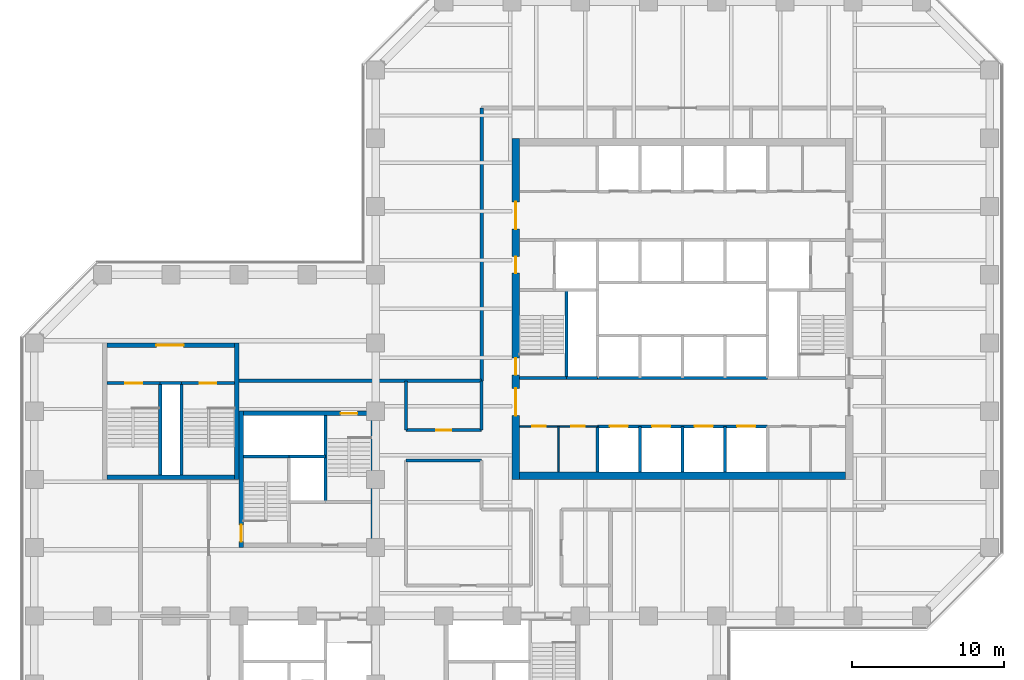
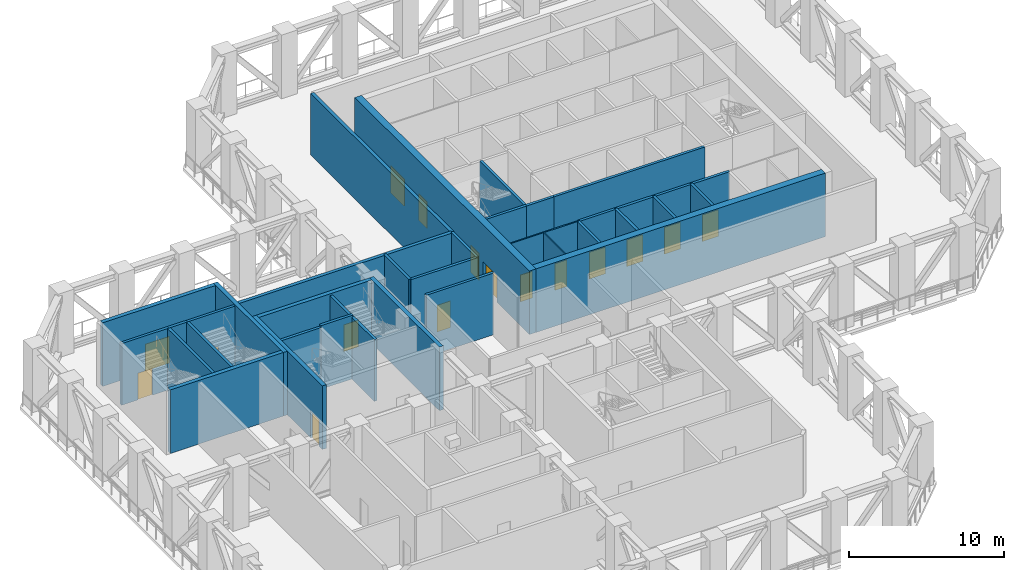
# One storey, part 6 of 16: 33 walls, 16 doors, 16 openings.
"""IFC4 building model written with IfcOpenShell, lengths in metres."""

from ifc_helpers import new_model, si_unit, direction, frame, frame_2d, origin, place, context, subcontext, project, spatial, rectangle, extrude, material, layer, layer_set, type_object, element, fill, save


model = new_model("IFC4")

# Units and contexts
model_context = context("Model", 3, precision=1e-05, world=origin(), true_north=direction((0.0, 1.0)))
body_context = subcontext(model_context, "Body", "Model", "MODEL_VIEW")
ifc_project = project(units=[si_unit("LENGTHUNIT", "METRE"), si_unit("AREAUNIT", "SQUARE_METRE"), si_unit("VOLUMEUNIT", "CUBIC_METRE"), si_unit("PLANEANGLEUNIT", "RADIAN"), si_unit("MASSUNIT", "GRAM", prefix="KILO")], contexts=[model_context])

# Site, building, storey
site_placement = place(None, origin())
site = spatial("IfcSite", under=ifc_project, at=site_placement, CompositionType="ELEMENT")
building_placement = place(site_placement, origin())
building = spatial("IfcBuilding", under=site, at=building_placement, Name="Quoin Convention Tower", CompositionType="ELEMENT")
storey_placement = place(building_placement, frame((0.0, 0.0, 69.300048828125)))
storey = spatial("IfcBuildingStorey", under=building, at=storey_placement, Name="L18", CompositionType="ELEMENT", Elevation=69.300048828125)

# Wall, openings, doors
ifc_material_1 = material(Name="Plasterboard")
ifc_layer_1 = layer(ifc_material_1, 0.012451171875, Name="Finish")
ifc_material_2 = material(Name="Steel stud framing", Category="steel")
ifc_layer_2 = layer(ifc_material_2, 0.074951171875, Name="Structure")
ifc_layer_3 = layer(ifc_material_1, 0.012451171875, Name="Finish")
ifc_layer_set_1 = layer_set([ifc_layer_1, ifc_layer_2, ifc_layer_3], Name="Steel stud framing")
wall_type_1 = type_object("IfcWallType", Name="Core partition wall", PredefinedType="PARTITIONING", material=ifc_layer_set_1)
wall_1_placement = place(storey_placement, frame((45.5, 53.0, 0.0), z_axis=(0.0, 0.0, 1.0), x_axis=(1.0, 0.0, 0.0)))
wall_1 = element("IfcWall", 1, at=wall_1_placement, inside=storey, type_object=wall_type_1, Name="cr-C1-L18-h3500_500", PredefinedType="PARTITIONING", context=body_context, shape_type="SweptSolid", body=[
    extrude(rectangle(XDim=5.14990234375, YDim=0.10009765625, at=frame_2d((2.574951171875, 0.0))), origin(), (0.0, 0.0, 1.0), 4.849853515625),
])
opening_1_placement = place(wall_1_placement, frame((0.83740234375, 0.0, 0.0)))
opening_1 = element("IfcOpeningElement", 2, at=opening_1_placement, cuts=wall_1, Name="Opening DCV0-49", PredefinedType="OPENING", context=body_context, shape_type="SweptSolid", body=[
    extrude(rectangle(XDim=0.89990234375, YDim=2.10009765625, at=frame_2d((0.449951171875, 1.050048828125))), frame((0.0, 0.06005859375, 0.0), z_axis=(0.0, -1.0, 0.0), x_axis=(1.0, 0.0, 0.0)), (0.0, 0.0, 1.0), 0.1201171875),
])
opening_2_placement = place(wall_1_placement, frame((3.41259765625, 0.0, 0.0)))
opening_2 = element("IfcOpeningElement", 3, at=opening_2_placement, cuts=wall_1, Name="Opening DCV0-50", PredefinedType="OPENING", context=body_context, shape_type="SweptSolid", body=[
    extrude(rectangle(XDim=0.89990234375, YDim=2.10009765625, at=frame_2d((0.449951171875, 1.050048828125))), frame((0.0, 0.06005859375, 0.0), z_axis=(0.0, -1.0, 0.0), x_axis=(1.0, 0.0, 0.0)), (0.0, 0.0, 1.0), 0.1201171875),
])
ifc_material_3 = material(Name="Steel door leaf", Category="steel")
door_type_1 = type_object("IfcDoorType", Name="Core room door 900 x 2100", OperationType="SINGLE_SWING_LEFT", PredefinedType="DOOR", material=ifc_material_3)
door_1_placement = place(opening_1_placement, frame((0.89990234375, 0.0, 0.0), z_axis=(0.0, 0.0, 1.0), x_axis=(-1.0, 0.0, 0.0)))
door_1 = element("IfcDoor", 4, at=door_1_placement, inside=storey, type_object=door_type_1, Name="cd-C1-L18-CSW0-lobA-CD1812", OperationType="SINGLE_SWING_LEFT", OverallHeight=2.10009765625, OverallWidth=0.89990234375, PredefinedType="DOOR", context=body_context, shape_type="SweptSolid", body=[
    extrude(rectangle(XDim=0.89990234375, YDim=2.10009765625, at=frame_2d((0.449951171875, 1.050048828125))), frame((0.0, 0.02490234375, 0.0), z_axis=(0.0, -1.0, 0.0), x_axis=(1.0, 0.0, 0.0)), (0.0, 0.0, 1.0), 0.050048828125),
])
fill(opening_1, door_1)
door_2_placement = place(opening_2_placement, frame((0.89990234375, 0.0, 0.0), z_axis=(0.0, 0.0, 1.0), x_axis=(-1.0, 0.0, 0.0)))
door_2 = element("IfcDoor", 5, at=door_2_placement, inside=storey, type_object=door_type_1, Name="cd-C1-L18-CSW1-lobA-CD1813", OperationType="SINGLE_SWING_LEFT", OverallHeight=2.10009765625, OverallWidth=0.89990234375, PredefinedType="DOOR", context=body_context, shape_type="SweptSolid", body=[
    extrude(rectangle(XDim=0.89990234375, YDim=2.10009765625, at=frame_2d((0.449951171875, 1.050048828125))), frame((0.0, 0.02490234375, 0.0), z_axis=(0.0, -1.0, 0.0), x_axis=(1.0, 0.0, 0.0)), (0.0, 0.0, 1.0), 0.050048828125),
])
fill(opening_2, door_2)

# Wall
wall_2_placement = place(storey_placement, frame((48.074951171875, 50.0, 0.0), z_axis=(0.0, 0.0, 1.0), x_axis=(0.0, 1.0, 0.0)))
element("IfcWall", 6, at=wall_2_placement, inside=storey, type_object=wall_type_1, Name="cr-C1-L18-v3075_500", PredefinedType="PARTITIONING", context=body_context, shape_type="SweptSolid", body=[
    extrude(rectangle(XDim=3.0, YDim=0.10009765625, at=frame_2d((1.5, 0.0))), origin(), (0.0, 0.0, 1.0), 4.849853515625),
])

# Wall, openings, doors
ifc_material_4 = material(Name="Concrete C50", Category="concrete")
ifc_layer_4 = layer(ifc_material_4, 0.199951171875)
ifc_layer_set_2 = layer_set([ifc_layer_4], Name="Concrete C50")
wall_type_2 = type_object("IfcWallType", Name="Core shaft wall", PredefinedType="SOLIDWALL", material=ifc_layer_set_2)
wall_3_placement = place(storey_placement, frame((50.64990234375, 53.0, 0.0), z_axis=(0.0, 0.0, 1.0), x_axis=(1.0, 0.0, 0.0)))
wall_3 = element("IfcWall", 7, at=wall_3_placement, inside=storey, type_object=wall_type_2, Name="cr-C1-L18-h3500_5650", PredefinedType="SOLIDWALL", context=body_context, shape_type="SweptSolid", body=[
    extrude(rectangle(XDim=11.2001953125, YDim=0.199951171875, at=frame_2d((5.60009765625, 0.0))), origin(), (0.0, 0.0, 1.0), 4.849853515625),
])
opening_3_placement = place(wall_3_placement, frame((0.800048828125, 0.0, 0.0)))
opening_3 = element("IfcOpeningElement", 8, at=opening_3_placement, cuts=wall_3, Name="Opening LDL1", PredefinedType="OPENING", context=body_context, shape_type="SweptSolid", body=[
    extrude(rectangle(XDim=1.199951171875, YDim=2.10009765625, at=frame_2d((0.60009765625, 1.050048828125))), frame((0.0, 0.10986328125, 0.0), z_axis=(0.0, -1.0, 0.0), x_axis=(1.0, 0.0, 0.0)), (0.0, 0.0, 1.0), 0.219970703125),
])
opening_4_placement = place(wall_3_placement, frame((3.60009765625, 0.0, 0.0)))
opening_4 = element("IfcOpeningElement", 9, at=opening_4_placement, cuts=wall_3, Name="Opening LDL2", PredefinedType="OPENING", context=body_context, shape_type="SweptSolid", body=[
    extrude(rectangle(XDim=1.199951171875, YDim=2.10009765625, at=frame_2d((0.60009765625, 1.050048828125))), frame((0.0, 0.10986328125, 0.0), z_axis=(0.0, -1.0, 0.0), x_axis=(1.0, 0.0, 0.0)), (0.0, 0.0, 1.0), 0.219970703125),
])
opening_5_placement = place(wall_3_placement, frame((6.39990234375, 0.0, 0.0)))
opening_5 = element("IfcOpeningElement", 10, at=opening_5_placement, cuts=wall_3, Name="Opening LDL3", PredefinedType="OPENING", context=body_context, shape_type="SweptSolid", body=[
    extrude(rectangle(XDim=1.199951171875, YDim=2.10009765625, at=frame_2d((0.60009765625, 1.050048828125))), frame((0.0, 0.10986328125, 0.0), z_axis=(0.0, -1.0, 0.0), x_axis=(1.0, 0.0, 0.0)), (0.0, 0.0, 1.0), 0.219970703125),
])
opening_6_placement = place(wall_3_placement, frame((9.199951171875, 0.0, 0.0)))
opening_6 = element("IfcOpeningElement", 11, at=opening_6_placement, cuts=wall_3, Name="Opening LDL4", PredefinedType="OPENING", context=body_context, shape_type="SweptSolid", body=[
    extrude(rectangle(XDim=1.199951171875, YDim=2.10009765625, at=frame_2d((0.60009765625, 1.050048828125))), frame((0.0, 0.10986328125, 0.0), z_axis=(0.0, -1.0, 0.0), x_axis=(1.0, 0.0, 0.0)), (0.0, 0.0, 1.0), 0.219970703125),
])
door_type_2 = type_object("IfcDoorType", Name="Lift landing door 1200 x 2100", OperationType="DOUBLE_DOOR_SLIDING", PredefinedType="DOOR", material=ifc_material_3)
door_3_placement = place(opening_3_placement, origin())
door_3 = element("IfcDoor", 12, at=door_3_placement, inside=storey, type_object=door_type_2, Name="cd-C1-L18-R10-lobA-LDL1", OperationType="DOUBLE_DOOR_SLIDING", OverallHeight=2.10009765625, OverallWidth=1.199951171875, PredefinedType="DOOR", context=body_context, shape_type="SweptSolid", body=[
    extrude(rectangle(XDim=1.199951171875, YDim=2.10009765625, at=frame_2d((0.60009765625, 1.050048828125))), frame((0.0, 0.02490234375, 0.0), z_axis=(0.0, -1.0, 0.0), x_axis=(1.0, 0.0, 0.0)), (0.0, 0.0, 1.0), 0.050048828125),
])
fill(opening_3, door_3)
door_4_placement = place(opening_4_placement, origin())
door_4 = element("IfcDoor", 13, at=door_4_placement, inside=storey, type_object=door_type_2, Name="cd-C1-L18-R11-lobA-LDL2", OperationType="DOUBLE_DOOR_SLIDING", OverallHeight=2.10009765625, OverallWidth=1.199951171875, PredefinedType="DOOR", context=body_context, shape_type="SweptSolid", body=[
    extrude(rectangle(XDim=1.199951171875, YDim=2.10009765625, at=frame_2d((0.60009765625, 1.050048828125))), frame((0.0, 0.02490234375, 0.0), z_axis=(0.0, -1.0, 0.0), x_axis=(1.0, 0.0, 0.0)), (0.0, 0.0, 1.0), 0.050048828125),
])
fill(opening_4, door_4)
door_5_placement = place(opening_5_placement, origin())
door_5 = element("IfcDoor", 14, at=door_5_placement, inside=storey, type_object=door_type_2, Name="cd-C1-L18-R12-lobA-LDL3", OperationType="DOUBLE_DOOR_SLIDING", OverallHeight=2.10009765625, OverallWidth=1.199951171875, PredefinedType="DOOR", context=body_context, shape_type="SweptSolid", body=[
    extrude(rectangle(XDim=1.199951171875, YDim=2.10009765625, at=frame_2d((0.60009765625, 1.050048828125))), frame((0.0, 0.02490234375, 0.0), z_axis=(0.0, -1.0, 0.0), x_axis=(1.0, 0.0, 0.0)), (0.0, 0.0, 1.0), 0.050048828125),
])
fill(opening_5, door_5)
door_6_placement = place(opening_6_placement, origin())
door_6 = element("IfcDoor", 15, at=door_6_placement, inside=storey, type_object=door_type_2, Name="cd-C1-L18-R13-lobA-LDL4", OperationType="DOUBLE_DOOR_SLIDING", OverallHeight=2.10009765625, OverallWidth=1.199951171875, PredefinedType="DOOR", context=body_context, shape_type="SweptSolid", body=[
    extrude(rectangle(XDim=1.199951171875, YDim=2.10009765625, at=frame_2d((0.60009765625, 1.050048828125))), frame((0.0, 0.02490234375, 0.0), z_axis=(0.0, -1.0, 0.0), x_axis=(1.0, 0.0, 0.0)), (0.0, 0.0, 1.0), 0.050048828125),
])
fill(opening_6, door_6)

# Walls
wall_4_placement = place(storey_placement, frame((48.60009765625, 56.199951171875, 0.0), z_axis=(0.0, 0.0, 1.0), x_axis=(1.0, 0.0, 0.0)))
element("IfcWall", 16, at=wall_4_placement, inside=storey, type_object=wall_type_2, Name="cr-C1-L18-h6700_3600", PredefinedType="SOLIDWALL", context=body_context, shape_type="SweptSolid", body=[
    extrude(rectangle(XDim=2.0498046875, YDim=0.199951171875, at=frame_2d((1.02490234375, 0.0))), origin(), (0.0, 0.0, 1.0), 4.849853515625),
])
wall_5_placement = place(storey_placement, frame((45.5, 56.199951171875, 0.0), z_axis=(0.0, 0.0, 1.0), x_axis=(1.0, 0.0, 0.0)))
element("IfcWall", 17, at=wall_5_placement, inside=storey, type_object=wall_type_2, Name="cr-C1-L18-h6700_500", PredefinedType="SOLIDWALL", context=body_context, shape_type="SweptSolid", body=[
    extrude(rectangle(XDim=3.10009765625, YDim=0.199951171875, at=frame_2d((1.550048828125, 0.0))), origin(), (0.0, 0.0, 1.0), 4.849853515625),
])
wall_6_placement = place(storey_placement, frame((50.64990234375, 56.199951171875, 0.0), z_axis=(0.0, 0.0, 1.0), x_axis=(1.0, 0.0, 0.0)))
element("IfcWall", 18, at=wall_6_placement, inside=storey, type_object=wall_type_2, Name="cr-C1-L18-h6700_5650", PredefinedType="SOLIDWALL", context=body_context, shape_type="SweptSolid", body=[
    extrude(rectangle(XDim=11.2001953125, YDim=0.199951171875, at=frame_2d((5.60009765625, 0.0))), origin(), (0.0, 0.0, 1.0), 4.849853515625),
])
wall_7_placement = place(storey_placement, frame((48.60009765625, 56.199951171875, 0.0), z_axis=(0.0, 0.0, 1.0), x_axis=(0.0, 1.0, 0.0)))
element("IfcWall", 19, at=wall_7_placement, inside=storey, type_object=wall_type_2, Name="cr-C1-L18-v3600_6700", PredefinedType="SOLIDWALL", context=body_context, shape_type="SweptSolid", body=[
    extrude(rectangle(XDim=5.800048828125, YDim=0.199951171875, at=frame_2d((2.89990234375, 0.0))), origin(), (0.0, 0.0, 1.0), 4.849853515625),
])
for number, where, z_axis, x_axis, name in (
    (20, (50.64990234375, 50.0, 0.0), (0.0, 0.0, 1.0), (0.0, 1.0, 0.0), "cr-C1-L18-v5650_500"),
    (21, (53.449951171875, 50.0, 0.0), (0.0, 0.0, 1.0), (0.0, 1.0, 0.0), "cr-C1-L18-v8450_500"),
    (22, (56.25, 50.0, 0.0), (0.0, 0.0, 1.0), (0.0, 1.0, 0.0), "cr-C1-L18-v11250_500"),
    (23, (59.050048828125, 50.0, 0.0), (0.0, 0.0, 1.0), (0.0, 1.0, 0.0), "cr-C1-L18-v14050_500"),
    (24, (27.300048828125, 51.0, 0.0), (0.0, 0.0, 1.0), (1.0, 0.0, 0.0), "cr-P2-L18-h6000_300"),
):
    element("IfcWall", number, at=place(storey_placement, frame(where, z_axis=z_axis, x_axis=x_axis)), inside=storey, type_object=wall_type_2, Name=name, PredefinedType="SOLIDWALL", context=body_context, shape_type="SweptSolid", body=[
        extrude(rectangle(XDim=3.0, YDim=0.199951171875, at=frame_2d((1.5, 0.0))), origin(), (0.0, 0.0, 1.0), 4.849853515625),
    ])
wall_8_placement = place(storey_placement, frame((32.699951171875, 48.0, 0.0), z_axis=(0.0, 0.0, 1.0), x_axis=(0.0, 1.0, 0.0)))
element("IfcWall", 25, at=wall_8_placement, inside=storey, type_object=wall_type_2, Name="cr-P2-L18-v5700_3000", PredefinedType="SOLIDWALL", context=body_context, shape_type="SweptSolid", body=[
    extrude(rectangle(XDim=5.699951171875, YDim=0.199951171875, at=frame_2d((2.85009765625, 0.0))), origin(), (0.0, 0.0, 1.0), 4.849853515625),
])
wall_9_placement = place(storey_placement, frame((21.800048828125, 55.85009765625, 0.0), z_axis=(0.0, 0.0, 1.0), x_axis=(1.0, 0.0, 0.0)))
element("IfcWall", 26, at=wall_9_placement, inside=storey, type_object=wall_type_2, Name="cr-P6-L18-h6350_3800", PredefinedType="SOLIDWALL", context=body_context, shape_type="SweptSolid", body=[
    extrude(rectangle(XDim=1.39990234375, YDim=0.199951171875, at=frame_2d((0.699951171875, 0.0))), origin(), (0.0, 0.0, 1.0), 4.849853515625),
])

# Wall, opening, door
wall_10_placement = place(storey_placement, frame((18.300048828125, 55.85009765625, 0.0), z_axis=(0.0, 0.0, 1.0), x_axis=(1.0, 0.0, 0.0)))
wall_10 = element("IfcWall", 27, at=wall_10_placement, inside=storey, type_object=wall_type_2, Name="cr-P6-L18-h6350_300", PredefinedType="SOLIDWALL", context=body_context, shape_type="SweptSolid", body=[
    extrude(rectangle(XDim=3.5, YDim=0.199951171875, at=frame_2d((1.75, 0.0))), origin(), (0.0, 0.0, 1.0), 4.849853515625),
])
opening_7_placement = place(wall_10_placement, frame((1.199951171875, 0.0, 0.0)))
opening_7 = element("IfcOpeningElement", 28, at=opening_7_placement, cuts=wall_10, Name="Opening SD11", PredefinedType="OPENING", context=body_context, shape_type="SweptSolid", body=[
    extrude(rectangle(XDim=1.10009765625, YDim=2.10009765625, at=frame_2d((0.550048828125, 1.050048828125))), frame((0.0, 0.10986328125, 0.0), z_axis=(0.0, -1.0, 0.0), x_axis=(1.0, 0.0, 0.0)), (0.0, 0.0, 1.0), 0.219970703125),
])
door_type_3 = type_object("IfcDoorType", Name="Stair door 1100 x 2100", OperationType="SINGLE_SWING_RIGHT", PredefinedType="DOOR", material=ifc_material_3)
door_7_placement = place(opening_7_placement, origin())
door_7 = element("IfcDoor", 29, at=door_7_placement, inside=storey, type_object=door_type_3, Name="cd-P6-L18-SA-R2-SD11", OperationType="SINGLE_SWING_RIGHT", OverallHeight=2.10009765625, OverallWidth=1.10009765625, PredefinedType="DOOR", context=body_context, shape_type="SweptSolid", body=[
    extrude(rectangle(XDim=1.10009765625, YDim=2.10009765625, at=frame_2d((0.550048828125, 1.050048828125))), frame((0.0, 0.02490234375, 0.0), z_axis=(0.0, -1.0, 0.0), x_axis=(1.0, 0.0, 0.0)), (0.0, 0.0, 1.0), 0.050048828125),
])
fill(opening_7, door_7)

wall_11_placement = place(storey_placement, frame((23.199951171875, 55.85009765625, 0.0), z_axis=(0.0, 0.0, 1.0), x_axis=(1.0, 0.0, 0.0)))
wall_11 = element("IfcWall", 30, at=wall_11_placement, inside=storey, type_object=wall_type_2, Name="cr-P6-L18-h6350_5200", PredefinedType="SOLIDWALL", context=body_context, shape_type="SweptSolid", body=[
    extrude(rectangle(XDim=3.5, YDim=0.199951171875, at=frame_2d((1.75, 0.0))), origin(), (0.0, 0.0, 1.0), 4.849853515625),
])
opening_8_placement = place(wall_11_placement, frame((1.199951171875, 0.0, 0.0)))
opening_8 = element("IfcOpeningElement", 31, at=opening_8_placement, cuts=wall_11, Name="Opening SD12", PredefinedType="OPENING", context=body_context, shape_type="SweptSolid", body=[
    extrude(rectangle(XDim=1.10009765625, YDim=2.10009765625, at=frame_2d((0.550048828125, 1.050048828125))), frame((0.0, 0.10986328125, 0.0), z_axis=(0.0, -1.0, 0.0), x_axis=(1.0, 0.0, 0.0)), (0.0, 0.0, 1.0), 0.219970703125),
])
door_8_placement = place(opening_8_placement, origin())
door_8 = element("IfcDoor", 32, at=door_8_placement, inside=storey, type_object=door_type_3, Name="cd-P6-L18-SB-R2-SD12", OperationType="SINGLE_SWING_RIGHT", OverallHeight=2.10009765625, OverallWidth=1.10009765625, PredefinedType="DOOR", context=body_context, shape_type="SweptSolid", body=[
    extrude(rectangle(XDim=1.10009765625, YDim=2.10009765625, at=frame_2d((0.550048828125, 1.050048828125))), frame((0.0, 0.02490234375, 0.0), z_axis=(0.0, -1.0, 0.0), x_axis=(1.0, 0.0, 0.0)), (0.0, 0.0, 1.0), 0.050048828125),
])
fill(opening_8, door_8)

# Walls
for number, where, z_axis, x_axis, name in (
    (33, (21.800048828125, 49.800048828125, 0.0), (0.0, 0.0, 1.0), (0.0, 1.0, 0.0), "cr-P6-L18-v3800_300"),
    (34, (23.199951171875, 49.800048828125, 0.0), (0.0, 0.0, 1.0), (0.0, 1.0, 0.0), "cr-P6-L18-v5200_300"),
):
    element("IfcWall", number, at=place(storey_placement, frame(where, z_axis=z_axis, x_axis=x_axis)), inside=storey, type_object=wall_type_2, Name=name, PredefinedType="SOLIDWALL", context=body_context, shape_type="SweptSolid", body=[
        extrude(rectangle(XDim=6.050048828125, YDim=0.199951171875, at=frame_2d((3.02490234375, 0.0))), origin(), (0.0, 0.0, 1.0), 4.849853515625),
    ])
ifc_layer_5 = layer(ifc_material_4, 0.199951171875)
ifc_layer_set_3 = layer_set([ifc_layer_5], Name="Concrete C50")
wall_type_3 = type_object("IfcWallType", Name="Core shaft wall to the floor level over", PredefinedType="SOLIDWALL", material=ifc_layer_set_3)
wall_12_placement = place(storey_placement, frame((30.300048828125, 51.0, 0.0), z_axis=(0.0, 0.0, 1.0), x_axis=(1.0, 0.0, 0.0)))
element("IfcWall", 35, at=wall_12_placement, inside=storey, type_object=wall_type_3, Name="cr-P2-L18-h6000_3300", PredefinedType="SOLIDWALL", context=body_context, shape_type="SweptSolid", body=[
    extrude(rectangle(XDim=2.39990234375, YDim=0.199951171875, at=frame_2d((1.199951171875, 0.0))), origin(), (0.0, 0.0, 1.0), 5.0),
])

# Wall, opening, door
ifc_material_5 = material(Name="Concrete C80", Category="concrete")
ifc_layer_6 = layer(ifc_material_5, 0.300048828125)
ifc_layer_set_4 = layer_set([ifc_layer_6], Name="Concrete C80")
wall_type_4 = type_object("IfcWallType", Name="RC CORE WALL 300 C80", PredefinedType="SHEAR", material=ifc_layer_set_4)
wall_13_placement = place(storey_placement, frame((27.300048828125, 53.85009765625, 0.0), z_axis=(0.0, 0.0, 1.0), x_axis=(1.0, 0.0, 0.0)))
wall_13 = element("IfcWall", 36, at=wall_13_placement, inside=storey, type_object=wall_type_4, Name="cwl-P2-L18-N", PredefinedType="SHEAR", context=body_context, shape_type="SweptSolid", body=[
    extrude(rectangle(XDim=8.39990234375, YDim=0.300048828125, at=frame_2d((4.199951171875, 0.0))), origin(), (0.0, 0.0, 1.0), 5.0),
])
opening_9_placement = place(wall_13_placement, frame((6.39990234375, 0.0, 0.0)))
opening_9 = element("IfcOpeningElement", 37, at=opening_9_placement, cuts=wall_13, Name="Opening SD4", PredefinedType="OPENING", context=body_context, shape_type="SweptSolid", body=[
    extrude(rectangle(XDim=1.10009765625, YDim=2.10009765625, at=frame_2d((0.550048828125, 1.050048828125))), frame((0.0, 0.159912109375, 0.0), z_axis=(0.0, -1.0, 0.0), x_axis=(1.0, 0.0, 0.0)), (0.0, 0.0, 1.0), 0.320068359375),
])
door_9_placement = place(opening_9_placement, frame((1.10009765625, 0.0, 0.0), z_axis=(0.0, 0.0, 1.0), x_axis=(-1.0, 0.0, 0.0)))
door_9 = element("IfcDoor", 38, at=door_9_placement, inside=storey, type_object=door_type_3, Name="cd-P2-L18-SB-N", OperationType="SINGLE_SWING_LEFT", OverallHeight=2.10009765625, OverallWidth=1.10009765625, PredefinedType="DOOR", context=body_context, shape_type="SweptSolid", body=[
    extrude(rectangle(XDim=1.10009765625, YDim=2.10009765625, at=frame_2d((0.550048828125, 1.050048828125))), frame((0.0, 0.02490234375, 0.0), z_axis=(0.0, -1.0, 0.0), x_axis=(1.0, 0.0, 0.0)), (0.0, 0.0, 1.0), 0.050048828125),
])
fill(opening_9, door_9)

wall_14_placement = place(storey_placement, frame((27.14990234375, 45.0, 0.0), z_axis=(0.0, 0.0, 1.0), x_axis=(0.0, 1.0, 0.0)))
wall_14 = element("IfcWall", 39, at=wall_14_placement, inside=storey, type_object=wall_type_4, Name="cwl-P2-L18-W", PredefinedType="SHEAR", context=body_context, shape_type="SweptSolid", body=[
    extrude(rectangle(XDim=9.0, YDim=0.300048828125, at=frame_2d((4.5, 0.0))), origin(), (0.0, 0.0, 1.0), 5.0),
])
opening_10_placement = place(wall_14_placement, frame((0.39990234375, 0.0, 0.0)))
opening_10 = element("IfcOpeningElement", 40, at=opening_10_placement, cuts=wall_14, Name="Opening SD3", PredefinedType="OPENING", context=body_context, shape_type="SweptSolid", body=[
    extrude(rectangle(XDim=1.10009765625, YDim=2.10009765625, at=frame_2d((0.550048828125, 1.050048828125))), frame((0.0, 0.159912109375, 0.0), z_axis=(0.0, -1.0, 0.0), x_axis=(1.0, 0.0, 0.0)), (0.0, 0.0, 1.0), 0.320068359375),
])
door_10_placement = place(opening_10_placement, frame((1.10009765625, 0.0, 0.0), z_axis=(0.0, 0.0, 1.0), x_axis=(-1.0, 0.0, 0.0)))
door_10 = element("IfcDoor", 41, at=door_10_placement, inside=storey, type_object=door_type_3, Name="cd-P2-L18-SA-W", OperationType="SINGLE_SWING_RIGHT", OverallHeight=2.10009765625, OverallWidth=1.10009765625, PredefinedType="DOOR", context=body_context, shape_type="SweptSolid", body=[
    extrude(rectangle(XDim=1.10009765625, YDim=2.10009765625, at=frame_2d((0.550048828125, 1.050048828125))), frame((0.0, 0.02490234375, 0.0), z_axis=(0.0, -1.0, 0.0), x_axis=(1.0, 0.0, 0.0)), (0.0, 0.0, 1.0), 0.050048828125),
])
fill(opening_10, door_10)

# Walls
wall_15_placement = place(storey_placement, frame((35.85009765625, 45.0, 0.0), z_axis=(0.0, 0.0, 1.0), x_axis=(0.0, 1.0, 0.0)))
element("IfcWall", 42, at=wall_15_placement, inside=storey, type_object=wall_type_4, Name="cwl-P2-L18-E", PredefinedType="SHEAR", context=body_context, shape_type="SweptSolid", body=[
    extrude(rectangle(XDim=9.0, YDim=0.300048828125, at=frame_2d((4.5, 0.0))), origin(), (0.0, 0.0, 1.0), 5.0),
])
wall_16_placement = place(storey_placement, frame((18.300048828125, 49.64990234375, 0.0), z_axis=(0.0, 0.0, 1.0), x_axis=(1.0, 0.0, 0.0)))
element("IfcWall", 43, at=wall_16_placement, inside=storey, type_object=wall_type_4, Name="cwl-P6-L18-S", PredefinedType="SHEAR", context=body_context, shape_type="SweptSolid", body=[
    extrude(rectangle(XDim=8.39990234375, YDim=0.300048828125, at=frame_2d((4.199951171875, 0.0))), origin(), (0.0, 0.0, 1.0), 5.0),
])

# Wall, opening, door
wall_17_placement = place(storey_placement, frame((18.300048828125, 58.35009765625, 0.0), z_axis=(0.0, 0.0, 1.0), x_axis=(1.0, 0.0, 0.0)))
wall_17 = element("IfcWall", 44, at=wall_17_placement, inside=storey, type_object=wall_type_4, Name="cwl-P6-L18-N", PredefinedType="SHEAR", context=body_context, shape_type="SweptSolid", body=[
    extrude(rectangle(XDim=8.39990234375, YDim=0.300048828125, at=frame_2d((4.199951171875, 0.0))), origin(), (0.0, 0.0, 1.0), 5.0),
])
opening_11_placement = place(wall_17_placement, frame((3.25, 0.0, 0.0)))
opening_11 = element("IfcOpeningElement", 45, at=opening_11_placement, cuts=wall_17, Name="Opening DCV0-65", PredefinedType="OPENING", context=body_context, shape_type="SweptSolid", body=[
    extrude(rectangle(XDim=1.800048828125, YDim=2.10009765625, at=frame_2d((0.89990234375, 1.050048828125))), frame((0.0, 0.159912109375, 0.0), z_axis=(0.0, -1.0, 0.0), x_axis=(1.0, 0.0, 0.0)), (0.0, 0.0, 1.0), 0.320068359375),
])
door_type_4 = type_object("IfcDoorType", Name="Goods lobby door 1800 x 2100", OperationType="SINGLE_SWING_LEFT", PredefinedType="DOOR", material=ifc_material_3)
door_11_placement = place(opening_11_placement, frame((1.800048828125, 0.0, 0.0), z_axis=(0.0, 0.0, 1.0), x_axis=(-1.0, 0.0, 0.0)))
door_11 = element("IfcDoor", 46, at=door_11_placement, inside=storey, type_object=door_type_4, Name="cd-P6-L18-R2-N", OperationType="SINGLE_SWING_RIGHT", OverallHeight=2.10009765625, OverallWidth=1.800048828125, PredefinedType="DOOR", context=body_context, shape_type="SweptSolid", body=[
    extrude(rectangle(XDim=1.800048828125, YDim=2.10009765625, at=frame_2d((0.89990234375, 1.050048828125))), frame((0.0, 0.02490234375, 0.0), z_axis=(0.0, -1.0, 0.0), x_axis=(1.0, 0.0, 0.0)), (0.0, 0.0, 1.0), 0.050048828125),
])
fill(opening_11, door_11)

# Walls
wall_18_placement = place(storey_placement, frame((26.85009765625, 49.5, 0.0), z_axis=(0.0, 0.0, 1.0), x_axis=(0.0, 1.0, 0.0)))
element("IfcWall", 47, at=wall_18_placement, inside=storey, type_object=wall_type_4, Name="cwl-P6-L18-E", PredefinedType="SHEAR", context=body_context, shape_type="SweptSolid", body=[
    extrude(rectangle(XDim=9.0, YDim=0.300048828125, at=frame_2d((4.5, 0.0))), origin(), (0.0, 0.0, 1.0), 5.0),
])
ifc_layer_7 = layer(ifc_material_5, 0.5)
ifc_layer_set_5 = layer_set([ifc_layer_7], Name="Concrete C80")
wall_type_5 = type_object("IfcWallType", Name="RC CORE WALL 500 C80", PredefinedType="SHEAR", material=ifc_layer_set_5)
wall_19_placement = place(storey_placement, frame((45.5, 49.75, 0.0), z_axis=(0.0, 0.0, 1.0), x_axis=(1.0, 0.0, 0.0)))
element("IfcWall", 48, at=wall_19_placement, inside=storey, type_object=wall_type_5, Name="cwl-C1-L18-S", PredefinedType="SHEAR", context=body_context, shape_type="SweptSolid", body=[
    extrude(rectangle(XDim=21.5, YDim=0.5, at=frame_2d((10.75, 0.0))), origin(), (0.0, 0.0, 1.0), 5.0),
])

# Wall, openings, doors
wall_20_placement = place(storey_placement, frame((45.25, 49.5, 0.0), z_axis=(0.0, 0.0, 1.0), x_axis=(0.0, 1.0, 0.0)))
wall_20 = element("IfcWall", 49, at=wall_20_placement, inside=storey, type_object=wall_type_5, Name="cwl-C1-L18-W", PredefinedType="SHEAR", context=body_context, shape_type="SweptSolid", body=[
    extrude(rectangle(XDim=22.5, YDim=0.5, at=frame_2d((11.25, 0.0))), origin(), (0.0, 0.0, 1.0), 5.0),
])
opening_12_placement = place(wall_20_placement, frame((4.199951171875, 0.0, 0.0)))
opening_12 = element("IfcOpeningElement", 50, at=opening_12_placement, cuts=wall_20, Name="Opening DCV0-59", PredefinedType="OPENING", context=body_context, shape_type="SweptSolid", body=[
    extrude(rectangle(XDim=1.800048828125, YDim=2.10009765625, at=frame_2d((0.89990234375, 1.050048828125))), frame((0.0, 0.260009765625, 0.0), z_axis=(0.0, -1.0, 0.0), x_axis=(1.0, 0.0, 0.0)), (0.0, 0.0, 1.0), 0.52001953125),
])
opening_13_placement = place(wall_20_placement, frame((6.89990234375, 0.0, 0.0)))
opening_13 = element("IfcOpeningElement", 51, at=opening_13_placement, cuts=wall_20, Name="Opening SD1", PredefinedType="OPENING", context=body_context, shape_type="SweptSolid", body=[
    extrude(rectangle(XDim=1.10009765625, YDim=2.10009765625, at=frame_2d((0.550048828125, 1.050048828125))), frame((0.0, 0.260009765625, 0.0), z_axis=(0.0, -1.0, 0.0), x_axis=(1.0, 0.0, 0.0)), (0.0, 0.0, 1.0), 0.52001953125),
])
opening_14_placement = place(wall_20_placement, frame((13.60009765625, 0.0, 0.0)))
opening_14 = element("IfcOpeningElement", 52, at=opening_14_placement, cuts=wall_20, Name="Opening DCV0-58", PredefinedType="OPENING", context=body_context, shape_type="SweptSolid", body=[
    extrude(rectangle(XDim=1.10009765625, YDim=2.10009765625, at=frame_2d((0.550048828125, 1.050048828125))), frame((0.0, 0.260009765625, 0.0), z_axis=(0.0, -1.0, 0.0), x_axis=(1.0, 0.0, 0.0)), (0.0, 0.0, 1.0), 0.52001953125),
])
opening_15_placement = place(wall_20_placement, frame((16.5, 0.0, 0.0)))
opening_15 = element("IfcOpeningElement", 53, at=opening_15_placement, cuts=wall_20, Name="Opening DCV0-59", PredefinedType="OPENING", context=body_context, shape_type="SweptSolid", body=[
    extrude(rectangle(XDim=1.800048828125, YDim=2.10009765625, at=frame_2d((0.89990234375, 1.050048828125))), frame((0.0, 0.260009765625, 0.0), z_axis=(0.0, -1.0, 0.0), x_axis=(1.0, 0.0, 0.0)), (0.0, 0.0, 1.0), 0.52001953125),
])
door_type_5 = type_object("IfcDoorType", Name="Fire-fighting lobby door 1100 x 2100", OperationType="SINGLE_SWING_LEFT", PredefinedType="DOOR", material=ifc_material_3)
door_12_placement = place(opening_14_placement, frame((1.10009765625, 0.0, 0.0), z_axis=(0.0, 0.0, 1.0), x_axis=(-1.0, 0.0, 0.0)))
door_12 = element("IfcDoor", 54, at=door_12_placement, inside=storey, type_object=door_type_5, Name="cd-C1-L18-FFW-W", OperationType="SINGLE_SWING_LEFT", OverallHeight=2.10009765625, OverallWidth=1.10009765625, PredefinedType="DOOR", context=body_context, shape_type="SweptSolid", body=[
    extrude(rectangle(XDim=1.10009765625, YDim=2.10009765625, at=frame_2d((0.550048828125, 1.050048828125))), frame((0.0, 0.02490234375, 0.0), z_axis=(0.0, -1.0, 0.0), x_axis=(1.0, 0.0, 0.0)), (0.0, 0.0, 1.0), 0.050048828125),
])
fill(opening_14, door_12)
door_type_6 = type_object("IfcDoorType", Name="Lift lobby door 1800 x 2100", OperationType="SINGLE_SWING_LEFT", PredefinedType="DOOR", material=ifc_material_3)
door_13_placement = place(opening_12_placement, frame((1.800048828125, 0.0, 0.0), z_axis=(0.0, 0.0, 1.0), x_axis=(-1.0, 0.0, 0.0)))
door_13 = element("IfcDoor", 55, at=door_13_placement, inside=storey, type_object=door_type_6, Name="cd-C1-L18-lobA-W", OperationType="SINGLE_SWING_LEFT", OverallHeight=2.10009765625, OverallWidth=1.800048828125, PredefinedType="DOOR", context=body_context, shape_type="SweptSolid", body=[
    extrude(rectangle(XDim=1.800048828125, YDim=2.10009765625, at=frame_2d((0.89990234375, 1.050048828125))), frame((0.0, 0.02490234375, 0.0), z_axis=(0.0, -1.0, 0.0), x_axis=(1.0, 0.0, 0.0)), (0.0, 0.0, 1.0), 0.050048828125),
])
fill(opening_12, door_13)
door_14_placement = place(opening_15_placement, frame((1.800048828125, 0.0, 0.0), z_axis=(0.0, 0.0, 1.0), x_axis=(-1.0, 0.0, 0.0)))
door_14 = element("IfcDoor", 56, at=door_14_placement, inside=storey, type_object=door_type_6, Name="cd-C1-L18-lobB-W", OperationType="SINGLE_SWING_LEFT", OverallHeight=2.10009765625, OverallWidth=1.800048828125, PredefinedType="DOOR", context=body_context, shape_type="SweptSolid", body=[
    extrude(rectangle(XDim=1.800048828125, YDim=2.10009765625, at=frame_2d((0.89990234375, 1.050048828125))), frame((0.0, 0.02490234375, 0.0), z_axis=(0.0, -1.0, 0.0), x_axis=(1.0, 0.0, 0.0)), (0.0, 0.0, 1.0), 0.050048828125),
])
fill(opening_15, door_14)
door_15_placement = place(opening_13_placement, frame((1.10009765625, 0.0, 0.0), z_axis=(0.0, 0.0, 1.0), x_axis=(-1.0, 0.0, 0.0)))
door_15 = element("IfcDoor", 57, at=door_15_placement, inside=storey, type_object=door_type_3, Name="cd-C1-L18-STW-W", OperationType="SINGLE_SWING_RIGHT", OverallHeight=2.10009765625, OverallWidth=1.10009765625, PredefinedType="DOOR", context=body_context, shape_type="SweptSolid", body=[
    extrude(rectangle(XDim=1.10009765625, YDim=2.10009765625, at=frame_2d((0.550048828125, 1.050048828125))), frame((0.0, 0.02490234375, 0.0), z_axis=(0.0, -1.0, 0.0), x_axis=(1.0, 0.0, 0.0)), (0.0, 0.0, 1.0), 0.050048828125),
])
fill(opening_13, door_15)

# Wall
ifc_layer_8 = layer(ifc_material_1, 0.012451171875, Name="Finish")
ifc_layer_9 = layer(ifc_material_2, 0.175048828125, Name="Structure")
ifc_layer_10 = layer(ifc_material_1, 0.012451171875, Name="Finish")
ifc_layer_set_6 = layer_set([ifc_layer_8, ifc_layer_9, ifc_layer_10], Name="Steel stud framing")
wall_type_6 = type_object("IfcWallType", Name="plant room wall", PredefinedType="PARTITIONING", material=ifc_layer_set_6)
wall_21_placement = place(storey_placement, frame((38.0, 50.75, 0.0), z_axis=(0.0, 0.0, 1.0), x_axis=(1.0, 0.0, 0.0)))
element("IfcWall", 58, at=wall_21_placement, inside=storey, type_object=wall_type_6, Name="pw-L18-028", PredefinedType="PARTITIONING", context=body_context, shape_type="SweptSolid", body=[
    extrude(rectangle(XDim=5.0, YDim=0.199951171875, at=frame_2d((2.5, 0.0))), origin(), (0.0, 0.0, 1.0), 4.849853515625),
])

# Wall, opening, door
wall_22_placement = place(storey_placement, frame((38.0, 52.75, 0.0), z_axis=(0.0, 0.0, 1.0), x_axis=(1.0, 0.0, 0.0)))
wall_22 = element("IfcWall", 59, at=wall_22_placement, inside=storey, type_object=wall_type_6, Name="pw-L18-029", PredefinedType="PARTITIONING", context=body_context, shape_type="SweptSolid", body=[
    extrude(rectangle(XDim=5.0, YDim=0.199951171875, at=frame_2d((2.5, 0.0))), origin(), (0.0, 0.0, 1.0), 4.849853515625),
])
opening_16_placement = place(wall_22_placement, frame((2.0, 0.0, 0.0)))
opening_16 = element("IfcOpeningElement", 60, at=opening_16_placement, cuts=wall_22, Name="Opening DREFUGE-R1-11", PredefinedType="OPENING", context=body_context, shape_type="SweptSolid", body=[
    extrude(rectangle(XDim=1.0, YDim=2.10009765625, at=frame_2d((0.5, 1.050048828125))), frame((0.0, 0.10986328125, 0.0), z_axis=(0.0, -1.0, 0.0), x_axis=(1.0, 0.0, 0.0)), (0.0, 0.0, 1.0), 0.219970703125),
])
door_type_7 = type_object("IfcDoorType", Name="Plant room door", OperationType="SINGLE_SWING_LEFT", PredefinedType="DOOR", material=ifc_material_3)
door_16_placement = place(opening_16_placement, origin())
door_16 = element("IfcDoor", 61, at=door_16_placement, inside=storey, type_object=door_type_7, Name="dr-L18-012", OperationType="SINGLE_SWING_RIGHT", OverallHeight=2.10009765625, OverallWidth=1.0, PredefinedType="DOOR", context=body_context, shape_type="SweptSolid", body=[
    extrude(rectangle(XDim=1.0, YDim=2.10009765625, at=frame_2d((0.5, 1.050048828125))), frame((0.0, 0.02490234375, 0.0), z_axis=(0.0, -1.0, 0.0), x_axis=(1.0, 0.0, 0.0)), (0.0, 0.0, 1.0), 0.050048828125),
])
fill(opening_16, door_16)

# Walls
for number, where, z_axis, x_axis, name in (
    (62, (38.0, 52.75, 0.0), (0.0, 0.0, 1.0), (0.0, 1.0, 0.0), "pw-L18-030"),
    (63, (43.0, 52.75, 0.0), (0.0, 0.0, 1.0), (0.0, 1.0, 0.0), "pw-L18-031"),
):
    element("IfcWall", number, at=place(storey_placement, frame(where, z_axis=z_axis, x_axis=x_axis)), inside=storey, type_object=wall_type_6, Name=name, PredefinedType="PARTITIONING", context=body_context, shape_type="SweptSolid", body=[
        extrude(rectangle(XDim=3.25, YDim=0.199951171875, at=frame_2d((1.625, 0.0))), origin(), (0.0, 0.0, 1.0), 4.849853515625),
    ])
ifc_layer_11 = layer(ifc_material_1, 0.012451171875, Name="Finish")
ifc_layer_12 = layer(ifc_material_2, 0.22509765625, Name="Structure")
ifc_layer_13 = layer(ifc_material_1, 0.012451171875, Name="Finish")
ifc_layer_set_7 = layer_set([ifc_layer_11, ifc_layer_12, ifc_layer_13], Name="Steel stud framing")
wall_type_7 = type_object("IfcWallType", Name="refuge enclosure wall", PredefinedType="PARTITIONING", material=ifc_layer_set_7)
wall_23_placement = place(storey_placement, frame((27.0, 56.0, 0.0), z_axis=(0.0, 0.0, 1.0), x_axis=(1.0, 0.0, 0.0)))
element("IfcWall", 64, at=wall_23_placement, inside=storey, type_object=wall_type_7, Name="pw-L18-009", PredefinedType="PARTITIONING", context=body_context, shape_type="SweptSolid", body=[
    extrude(rectangle(XDim=16.0, YDim=0.25, at=frame_2d((8.0, 0.0))), origin(), (0.0, 0.0, 1.0), 4.849853515625),
])
wall_24_placement = place(storey_placement, frame((43.0, 56.0, 0.0), z_axis=(0.0, 0.0, 1.0), x_axis=(0.0, 1.0, 0.0)))
element("IfcWall", 65, at=wall_24_placement, inside=storey, type_object=wall_type_7, Name="pw-L18-010", PredefinedType="PARTITIONING", context=body_context, shape_type="SweptSolid", body=[
    extrude(rectangle(XDim=18.0, YDim=0.25, at=frame_2d((9.0, 0.0))), origin(), (0.0, 0.0, 1.0), 4.849853515625),
])

save(model, "model.ifc")
